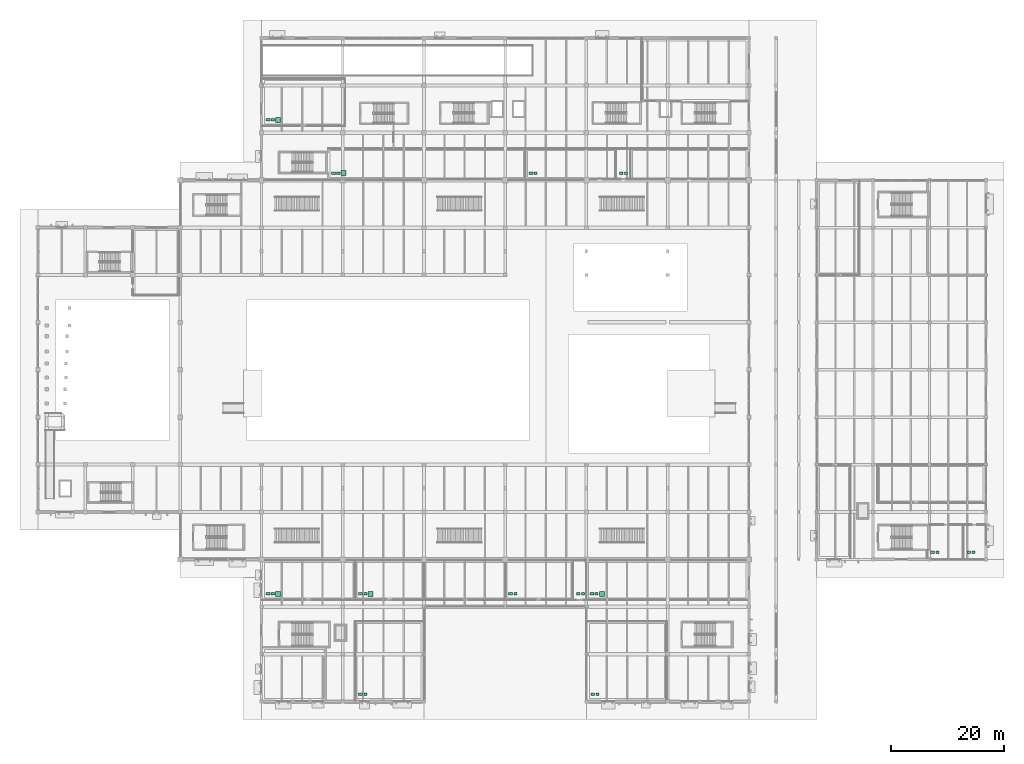
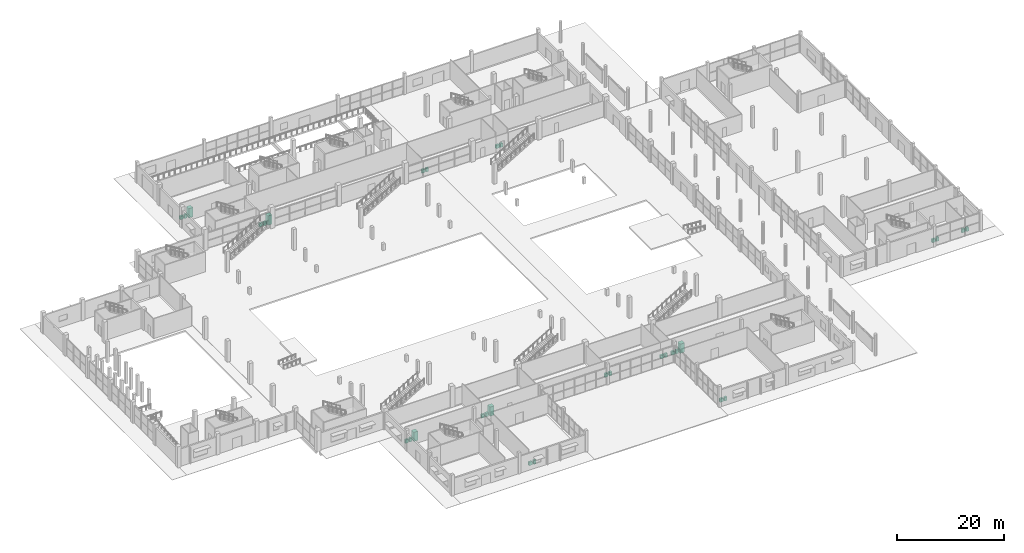
# One storey, part 129 of 130: 31 sanitary terminals.
"""IFC4 building model written with IfcOpenShell, lengths in metres."""

from ifc_helpers import new_model, si_unit, direction, frame, origin, origin_2d, place, context, subcontext, project, spatial, rectangle, extrude, material, type_object, element, save


model = new_model("IFC4")

# Units and contexts
model_context = context("Model", 3, precision=1e-05, world=origin(), true_north=direction((0.0, 1.0)))
body_context = subcontext(model_context, "Body", "Model", "MODEL_VIEW")
ifc_project = project(units=[si_unit("LENGTHUNIT", "METRE"), si_unit("AREAUNIT", "SQUARE_METRE"), si_unit("VOLUMEUNIT", "CUBIC_METRE"), si_unit("PLANEANGLEUNIT", "RADIAN"), si_unit("MASSUNIT", "GRAM", prefix="KILO"), si_unit("THERMODYNAMICTEMPERATUREUNIT", "KELVIN")], contexts=[model_context])

# Site, building, storey
site_placement = place(None, origin())
site = spatial("IfcSite", under=ifc_project, at=site_placement, CompositionType="ELEMENT")
building_placement = place(site_placement, origin())
building = spatial("IfcBuilding", under=site, at=building_placement, Name="Nduvali Passage Aquatics Centre", CompositionType="ELEMENT")
storey_placement = place(building_placement, origin())
storey = spatial("IfcBuildingStorey", under=building, at=storey_placement, Name="L00", CompositionType="ELEMENT", Elevation=0.0)

# Sanitary terminals
ifc_material_1 = material(Name="Vitreous china sanitaryware")
sanitary_terminal_type_1 = type_object("IfcSanitaryTerminalType", Name="MEP-SAN-BAS", PredefinedType="WASHHANDBASIN", material=ifc_material_1)
for number, where, z_axis, x_axis, name in (
    (1, (41.60009765625, 19.10009765625, 0.0), (0.0, 0.0, 1.0), (1.0, 0.0, 0.0), "L00 Athlete Wet Changing Village West Washbasin"),
    (2, (58.0, 1.280029296875, 0.0), (0.0, 0.0, 1.0), (1.0, 0.0, 0.0), "L00 West Pre-Swim Cleansing Shower Gallery Washbasin"),
    (3, (58.0, 19.10009765625, 0.0), (0.0, 0.0, 1.0), (1.0, 0.0, 0.0), "L00 Family and Accessible Changing Suite Washbasin"),
    (4, (84.60009765625, 19.10009765625, 0.0), (0.0, 0.0, 1.0), (1.0, 0.0, 0.0), "L00 Bather Wet Toilets and Washrooms Washbasin"),
    (5, (96.60009765625, 19.10009765625, 0.0), (0.0, 0.0, 1.0), (1.0, 0.0, 0.0), "L00 South Changing Accessible WC Washbasin"),
    (6, (99.14990234375, 1.280029296875, 0.0), (0.0, 0.0, 1.0), (1.0, 0.0, 0.0), "L00 East Pre-Swim Cleansing Shower Gallery Washbasin"),
    (7, (99.0, 19.10009765625, 0.0), (0.0, 0.0, 1.0), (1.0, 0.0, 0.0), "L00 Community Wet Changing Village East Washbasin"),
    (8, (53.199951171875, 93.659912109375, 0.0), (0.0, 0.0, 1.0), (1.0, 0.0, 0.0), "L00 Warm Hydrotherapy Pool Hall Washbasin"),
    (9, (41.60009765625, 103.10009765625, 0.0), (0.0, 0.0, 1.0), (1.0, 0.0, 0.0), "L00 Hydrotherapy Accessible Changing and Shower Room Washbasin"),
    (10, (88.199951171875, 93.659912109375, 0.0), (0.0, 0.0, 1.0), (1.0, 0.0, 0.0), "L00 North Wing Public Toilets Washbasin"),
    (11, (104.199951171875, 93.659912109375, 0.0), (0.0, 0.0, 1.0), (1.0, 0.0, 0.0), "L00 North Wing Accessible WC Washbasin"),
    (12, (159.39990234375, 26.47998046875, 0.0), (0.0, 0.0, 1.0), (1.0, 0.0, 0.0), "L00 Entrance Pavilion Public Toilets Washbasin"),
    (13, (165.800048828125, 26.47998046875, 0.0), (0.0, 0.0, 1.0), (1.0, 0.0, 0.0), "L00 Entrance Pavilion Accessible WC Washbasin"),
):
    element("IfcSanitaryTerminal", number, at=place(storey_placement, frame(where, z_axis=z_axis, x_axis=x_axis)), inside=storey, type_object=sanitary_terminal_type_1, Name=name, PredefinedType="WASHHANDBASIN", context=body_context, shape_type="SweptSolid", body=[
        extrude(rectangle(XDim=0.550048828125, YDim=0.449951171875, at=origin_2d()), origin(), (0.0, 0.0, 1.0), 0.820068359375),
    ])
ifc_material_2 = material(Name="Stainless steel shower unit", Category="steel")
sanitary_terminal_type_2 = type_object("IfcSanitaryTerminalType", Name="MEP-SAN-SHW", PredefinedType="SHOWER", material=ifc_material_2)
for number, where, z_axis, x_axis, name in (
    (14, (42.550048828125, 19.10009765625, 0.0), (0.0, 0.0, 1.0), (1.0, 0.0, 0.0), "L00 Athlete Wet Changing Village West Shower Unit"),
    (15, (58.949951171875, 19.10009765625, 0.0), (0.0, 0.0, 1.0), (1.0, 0.0, 0.0), "L00 Family and Accessible Changing Suite Shower Unit"),
    (16, (99.949951171875, 19.10009765625, 0.0), (0.0, 0.0, 1.0), (1.0, 0.0, 0.0), "L00 Community Wet Changing Village East Shower Unit"),
    (17, (54.14990234375, 93.659912109375, 0.0), (0.0, 0.0, 1.0), (1.0, 0.0, 0.0), "L00 Warm Hydrotherapy Pool Hall Shower Unit"),
    (18, (42.550048828125, 103.10009765625, 0.0), (0.0, 0.0, 1.0), (1.0, 0.0, 0.0), "L00 Hydrotherapy Accessible Changing and Shower Room Shower Unit"),
):
    element("IfcSanitaryTerminal", number, at=place(storey_placement, frame(where, z_axis=z_axis, x_axis=x_axis)), inside=storey, type_object=sanitary_terminal_type_2, Name=name, PredefinedType="SHOWER", context=body_context, shape_type="SweptSolid", body=[
        extrude(rectangle(XDim=0.89990234375, YDim=0.89990234375, at=origin_2d()), origin(), (0.0, 0.0, 1.0), 2.10009765625),
    ])
sanitary_terminal_type_3 = type_object("IfcSanitaryTerminalType", Name="MEP-SAN-WC", PredefinedType="TOILETPAN", material=ifc_material_1)
for number, where, z_axis, x_axis, name in (
    (19, (40.75, 19.10009765625, 0.0), (0.0, 0.0, 1.0), (1.0, 0.0, 0.0), "L00 Athlete Wet Changing Village West WC Pan"),
    (20, (57.14990234375, 1.280029296875, 0.0), (0.0, 0.0, 1.0), (1.0, 0.0, 0.0), "L00 West Pre-Swim Cleansing Shower Gallery WC Pan"),
    (21, (57.14990234375, 19.10009765625, 0.0), (0.0, 0.0, 1.0), (1.0, 0.0, 0.0), "L00 Family and Accessible Changing Suite WC Pan"),
    (22, (83.75, 19.10009765625, 0.0), (0.0, 0.0, 1.0), (1.0, 0.0, 0.0), "L00 Bather Wet Toilets and Washrooms WC Pan"),
    (23, (95.75, 19.10009765625, 0.0), (0.0, 0.0, 1.0), (1.0, 0.0, 0.0), "L00 South Changing Accessible WC WC Pan"),
    (24, (98.300048828125, 1.280029296875, 0.0), (0.0, 0.0, 1.0), (1.0, 0.0, 0.0), "L00 East Pre-Swim Cleansing Shower Gallery WC Pan"),
    (25, (98.14990234375, 19.10009765625, 0.0), (0.0, 0.0, 1.0), (1.0, 0.0, 0.0), "L00 Community Wet Changing Village East WC Pan"),
    (26, (52.35009765625, 93.659912109375, 0.0), (0.0, 0.0, 1.0), (1.0, 0.0, 0.0), "L00 Warm Hydrotherapy Pool Hall WC Pan"),
    (27, (40.75, 103.10009765625, 0.0), (0.0, 0.0, 1.0), (1.0, 0.0, 0.0), "L00 Hydrotherapy Accessible Changing and Shower Room WC Pan"),
    (28, (87.35009765625, 93.659912109375, 0.0), (0.0, 0.0, 1.0), (1.0, 0.0, 0.0), "L00 North Wing Public Toilets WC Pan"),
    (29, (103.35009765625, 93.659912109375, 0.0), (0.0, 0.0, 1.0), (1.0, 0.0, 0.0), "L00 North Wing Accessible WC WC Pan"),
    (30, (158.550048828125, 26.47998046875, 0.0), (0.0, 0.0, 1.0), (1.0, 0.0, 0.0), "L00 Entrance Pavilion Public Toilets WC Pan"),
    (31, (164.949951171875, 26.47998046875, 0.0), (0.0, 0.0, 1.0), (1.0, 0.0, 0.0), "L00 Entrance Pavilion Accessible WC WC Pan"),
):
    element("IfcSanitaryTerminal", number, at=place(storey_placement, frame(where, z_axis=z_axis, x_axis=x_axis)), inside=storey, type_object=sanitary_terminal_type_3, Name=name, PredefinedType="TOILETPAN", context=body_context, shape_type="SweptSolid", body=[
        extrude(rectangle(XDim=0.679931640625, YDim=0.39990234375, at=origin_2d()), origin(), (0.0, 0.0, 1.0), 0.780029296875),
    ])

save(model, "model.ifc")
